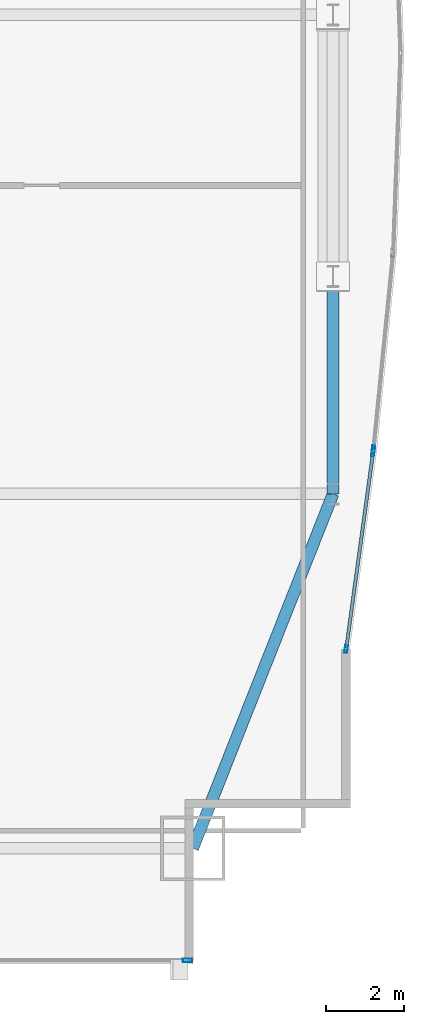
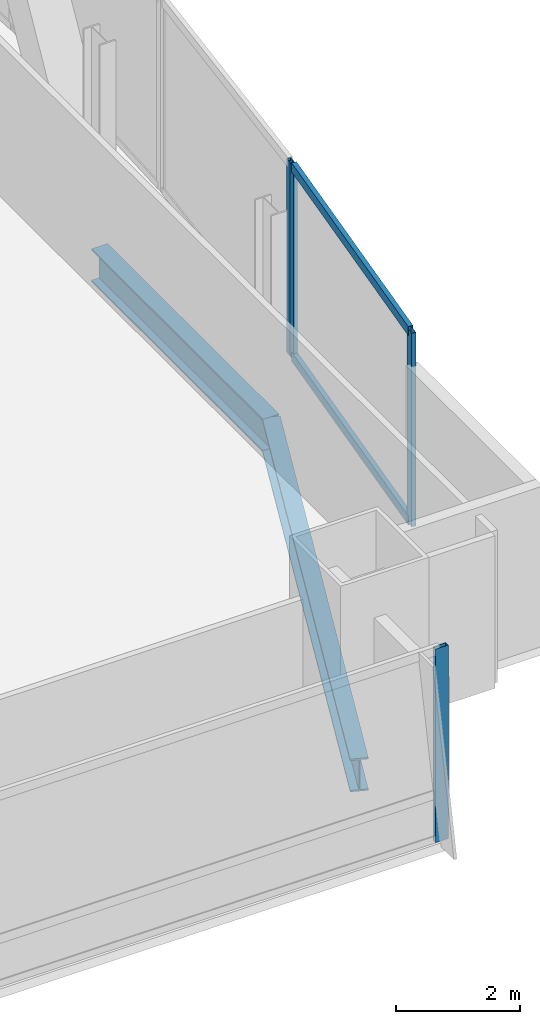
# One storey, part 21 of 35: 6 members, 2 beams, 3 elements without a shape of their own.
"""IFC4 building model written with IfcOpenShell, lengths in metres."""

from ifc_helpers import new_model, si_unit, direction, frame, origin, origin_2d, place, context, subcontext, project, spatial, hollow_rectangle, i_section, extrude, material, material_profile, profile_set, type_object, element, aggregate, save


model = new_model("IFC4")

# Units and contexts
model_context = context("Model", 3, precision=1e-05, world=origin(), true_north=direction((0.0, 1.0)))
body_context = subcontext(model_context, "Body", "Model", "MODEL_VIEW")
ifc_project = project(units=[si_unit("LENGTHUNIT", "METRE"), si_unit("AREAUNIT", "SQUARE_METRE"), si_unit("VOLUMEUNIT", "CUBIC_METRE"), si_unit("PLANEANGLEUNIT", "RADIAN"), si_unit("MASSUNIT", "GRAM", prefix="KILO")], contexts=[model_context])

# Site, building, storey
site_placement = place(None, origin())
site = spatial("IfcSite", under=ifc_project, at=site_placement, CompositionType="ELEMENT")
building_placement = place(site_placement, origin())
building = spatial("IfcBuilding", under=site, at=building_placement, Name="Khoronbel Lancet Exchange", CompositionType="ELEMENT")
storey_placement = place(building_placement, frame((0.0, 0.0, 37.800048828125)))
storey = spatial("IfcBuildingStorey", under=building, at=storey_placement, Name="L08", CompositionType="ELEMENT", Elevation=37.800048828125)

# Beams
ifc_material_1 = material(Name="Steel S355", Category="steel")
ifc_material_profile_1 = material_profile(ifc_material_1, i_section(OverallWidth=0.300048828125, OverallDepth=0.64990234375, WebThickness=0.01611328125, FlangeThickness=0.031005859375, at=origin_2d()), Name="HEB 650")
ifc_profile_set_1 = profile_set([ifc_material_profile_1], Name="Steel S355")
beam_type = type_object("IfcBeamType", Name="BM-BSP1", PredefinedType="SPANDREL", material=ifc_profile_set_1)
beam_1_placement = place(storey_placement, frame((68.050048828125, 10.14990234375, -0.505126953125), z_axis=(0.367828403855, 0.929893684954, 0.0), x_axis=(-0.929893684954, 0.367828403855, 0.0)))
element("IfcBeam", 1, at=beam_1_placement, inside=storey, type_object=beam_type, Name="Level L08 perimeter spandrel beam SP10", PredefinedType="SPANDREL", context=body_context, shape_type="SweptSolid", body=[
    extrude(i_section(OverallWidth=0.300048828125, OverallDepth=0.64990234375, WebThickness=0.01611328125, FlangeThickness=0.031005859375, at=origin_2d()), origin(), (0.0, 0.0, 1.0), 9.732421875),
])
beam_2_placement = place(storey_placement, frame((71.6298828125, 19.199951171875, -0.505126953125), z_axis=(0.0, 1.0, 0.0), x_axis=(-1.0, 0.0, 0.0)))
element("IfcBeam", 2, at=beam_2_placement, inside=storey, type_object=beam_type, Name="Level L08 perimeter spandrel beam SP11", PredefinedType="SPANDREL", context=body_context, shape_type="SweptSolid", body=[
    extrude(i_section(OverallWidth=0.300048828125, OverallDepth=0.64990234375, WebThickness=0.01611328125, FlangeThickness=0.031005859375, at=origin_2d()), origin(), (0.0, 0.0, 1.0), 5.550048828125),
])

# Curtain wall, member
ifc_material_2 = material(Name="Low-E Solar Control Insulating Glass", Category="glass")
curtain_wall_type_1 = type_object("IfcCurtainWallType", Name="CW-1", PredefinedType="NOTDEFINED", material=ifc_material_2)
curtain_wall_1_placement = place(storey_placement, origin())
curtain_wall_1 = element("IfcCurtainWall", 3, at=curtain_wall_1_placement, inside=storey, type_object=curtain_wall_type_1, Name="Unitised curtain wall CW-L08-SEV", PredefinedType="NOTDEFINED")
ifc_material_3 = material(Name="Bronze-Anodised Aluminium 6063-T6", Category="aluminium")
ifc_material_profile_2 = material_profile(ifc_material_3, hollow_rectangle(XDim=0.0849609375, YDim=0.239990234375, WallThickness=0.006103515625, at=origin_2d()), Name="ALU MULLION 85x240")
ifc_profile_set_2 = profile_set([ifc_material_profile_2], Name="Bronze-Anodised Aluminium 6063-T6")
member_type_1 = type_object("IfcMemberType", Name="MEM-CWM1", PredefinedType="MULLION", material=ifc_profile_set_2)
member_1_placement = place(storey_placement, frame((67.91748046875, 7.2900390625, 0.0), z_axis=(0.0, 0.0, 1.0), x_axis=(0.0, 1.0, 0.0)))
member_1 = element("IfcMember", 4, at=member_1_placement, type_object=member_type_1, Name="CW1 mullion 2", PredefinedType="MULLION", context=body_context, shape_type="SweptSolid", body=[
    extrude(hollow_rectangle(XDim=0.0849609375, YDim=0.239990234375, WallThickness=0.006103515625, at=origin_2d()), origin(), (0.0, 0.0, 1.0), 3.820068359375),
])
aggregate(curtain_wall_1, [member_1])

curtain_wall_type_2 = type_object("IfcCurtainWallType", Name="CW-4", PredefinedType="NOTDEFINED", material=ifc_material_2)
curtain_wall_2_placement = place(storey_placement, origin())
curtain_wall_2 = element("IfcCurtainWall", 5, at=curtain_wall_2_placement, inside=storey, type_object=curtain_wall_type_2, Name="Unitised curtain wall CW-L08-E21", PredefinedType="NOTDEFINED")
ifc_material_profile_3 = material_profile(ifc_material_3, hollow_rectangle(XDim=0.074951171875, YDim=0.199951171875, WallThickness=0.0048828125, at=origin_2d()), Name="ALU MULLION 75x200")
ifc_profile_set_3 = profile_set([ifc_material_profile_3], Name="Bronze-Anodised Aluminium 6063-T6")
member_type_2 = type_object("IfcMemberType", Name="MEM-CWM2", PredefinedType="MULLION", material=ifc_profile_set_3)
member_2_placement = place(storey_placement, frame((72.6591796875, 20.331298828125, 0.0), z_axis=(0.0, 0.0, 1.0), x_axis=(0.995027292608, -0.099602645371, 0.0)))
member_2 = element("IfcMember", 6, at=member_2_placement, type_object=member_type_2, Name="CW4 mullion 2", PredefinedType="MULLION", context=body_context, shape_type="SweptSolid", body=[
    extrude(hollow_rectangle(XDim=0.074951171875, YDim=0.199951171875, WallThickness=0.0048828125, at=origin_2d()), origin(), (0.0, 0.0, 1.0), 3.820068359375),
])
aggregate(curtain_wall_2, [member_2])

# Curtain wall, members
curtain_wall_3_placement = place(storey_placement, origin())
curtain_wall_3 = element("IfcCurtainWall", 7, at=curtain_wall_3_placement, inside=storey, type_object=curtain_wall_type_2, Name="Unitised curtain wall CW-L08-E22", PredefinedType="NOTDEFINED")
member_3_placement = place(storey_placement, frame((72.650390625, 20.2568359375, 0.0), z_axis=(0.0, 0.0, 1.0), x_axis=(0.990785557592, -0.135439945613, 0.0)))
member_3 = element("IfcMember", 8, at=member_3_placement, type_object=member_type_2, Name="CW4 mullion 1", PredefinedType="MULLION", context=body_context, shape_type="SweptSolid", body=[
    extrude(hollow_rectangle(XDim=0.074951171875, YDim=0.199951171875, WallThickness=0.0048828125, at=origin_2d()), origin(), (0.0, 0.0, 1.0), 3.820068359375),
])
member_4_placement = place(storey_placement, frame((71.965087890625, 15.2431640625, 0.0), z_axis=(0.0, 0.0, 1.0), x_axis=(0.990785557592, -0.135439945613, 0.0)))
member_4 = element("IfcMember", 9, at=member_4_placement, type_object=member_type_2, Name="CW4 mullion 2", PredefinedType="MULLION", context=body_context, shape_type="SweptSolid", body=[
    extrude(hollow_rectangle(XDim=0.074951171875, YDim=0.199951171875, WallThickness=0.0048828125, at=origin_2d()), origin(), (0.0, 0.0, 1.0), 3.820068359375),
])
ifc_material_profile_4 = material_profile(ifc_material_3, hollow_rectangle(XDim=0.0849609375, YDim=0.179931640625, WallThickness=0.0048828125, at=origin_2d()), Name="ALU TRANSOM 85x180")
ifc_profile_set_4 = profile_set([ifc_material_profile_4], Name="Bronze-Anodised Aluminium 6063-T6")
member_type_3 = type_object("IfcMemberType", Name="MEM-CWT1", PredefinedType="USERDEFINED", material=ifc_profile_set_4)
member_5_placement = place(storey_placement, frame((72.645263671875, 20.219482421875, 0.04248046875), z_axis=(-0.135419175322, -0.99078839666, 0.0), x_axis=(0.99078839666, -0.135419175322, 0.0)))
member_5 = element("IfcMember", 10, at=member_5_placement, type_object=member_type_3, Name="CW4 transom 1.1", ObjectType="TRANSOM", PredefinedType="USERDEFINED", context=body_context, shape_type="SweptSolid", body=[
    extrude(hollow_rectangle(XDim=0.0849609375, YDim=0.179931640625, WallThickness=0.0048828125, at=origin_2d()), origin(), (0.0, 0.0, 1.0), 4.98486328125),
])
member_6_placement = place(storey_placement, frame((72.645263671875, 20.219482421875, 3.77734375), z_axis=(-0.135419175322, -0.99078839666, 0.0), x_axis=(0.99078839666, -0.135419175322, 0.0)))
member_6 = element("IfcMember", 11, at=member_6_placement, type_object=member_type_3, Name="CW4 transom 1.2", ObjectType="TRANSOM", PredefinedType="USERDEFINED", context=body_context, shape_type="SweptSolid", body=[
    extrude(hollow_rectangle(XDim=0.0849609375, YDim=0.179931640625, WallThickness=0.0048828125, at=origin_2d()), origin(), (0.0, 0.0, 1.0), 4.98486328125),
])
aggregate(curtain_wall_3, [member_3, member_4, member_5, member_6])

save(model, "model.ifc")
